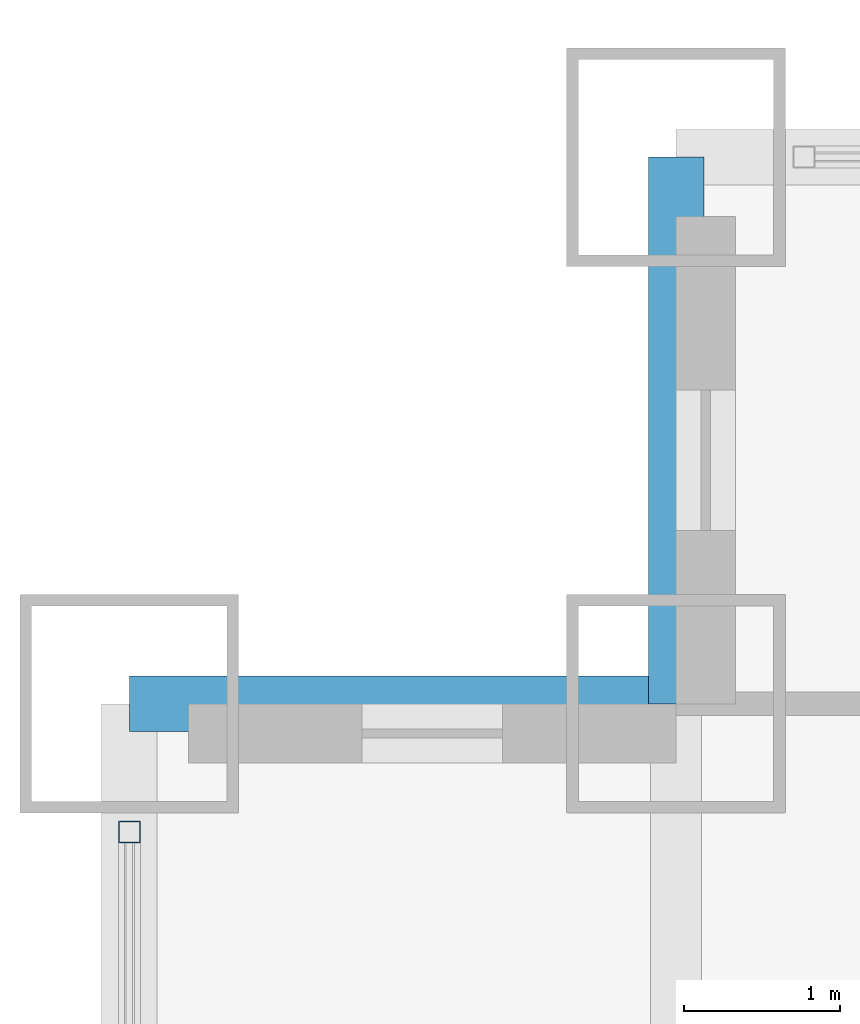
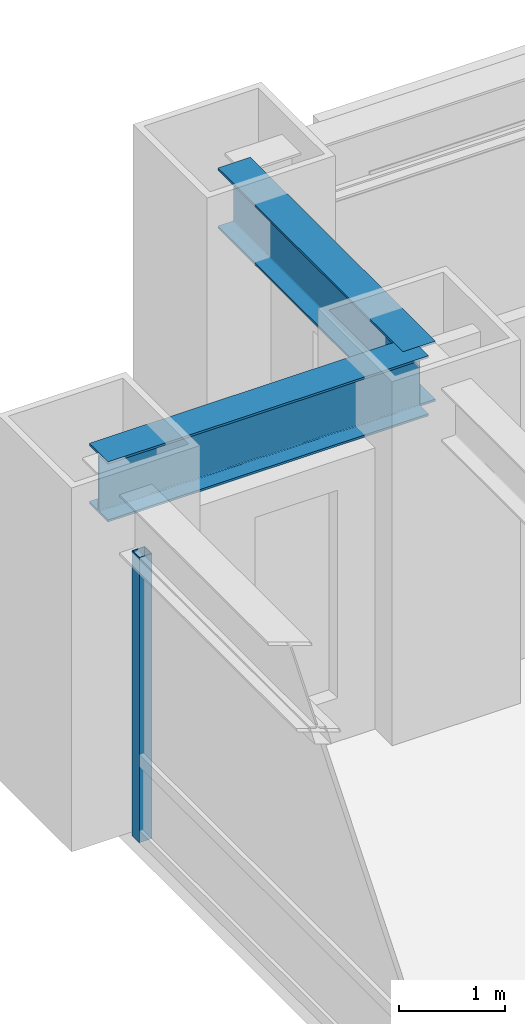
# One storey, part 14 of 31: 2 beams, 1 member, 1 element without a shape of its own.
"""IFC4 building model written with IfcOpenShell, lengths in metres."""

from ifc_helpers import new_model, si_unit, direction, frame, origin, origin_2d, place, context, subcontext, project, spatial, hollow_rectangle, i_section, extrude, source, transform, mapped, material, material_profile, profile_set, type_object, element, aggregate, save


model = new_model("IFC4")

# Units and contexts
model_context = context("Model", 3, precision=1e-05, world=origin(), true_north=direction((0.0, 1.0)))
body_context = subcontext(model_context, "Body", "Model", "MODEL_VIEW")
ifc_project = project(units=[si_unit("LENGTHUNIT", "METRE"), si_unit("AREAUNIT", "SQUARE_METRE"), si_unit("VOLUMEUNIT", "CUBIC_METRE"), si_unit("PLANEANGLEUNIT", "RADIAN"), si_unit("MASSUNIT", "GRAM", prefix="KILO")], contexts=[model_context])

# Site, building, storey
site_placement = place(None, origin())
site = spatial("IfcSite", under=ifc_project, at=site_placement, CompositionType="ELEMENT")
building_placement = place(site_placement, origin())
building = spatial("IfcBuilding", under=site, at=building_placement, Name="Khorayat Bourse Tower", CompositionType="ELEMENT")
storey_placement = place(building_placement, frame((0.0, 0.0, 41.0)))
storey = spatial("IfcBuildingStorey", under=building, at=storey_placement, Name="L08", CompositionType="ELEMENT", Elevation=41.0)

# Beams
ifc_material_1 = material(Name="Steel ASTM A992 Grade 50", Category="steel")
ifc_material_profile_1 = material_profile(ifc_material_1, i_section(OverallWidth=0.35498046875, OverallDepth=0.695068359375, WebThickness=0.015380859375, FlangeThickness=0.02490234375, FilletRadius=0.01806640625, at=origin_2d()), Name="W690X217")
ifc_profile_set_1 = profile_set([ifc_material_profile_1], Name="Steel ASTM A992 Grade 50")
beam_type = type_object("IfcBeamType", Name="BM-SPAN-690", PredefinedType="SPANDREL", material=ifc_profile_set_1)
shared_shape_1 = source(origin(), body_context, "Body", "SweptSolid", [
    extrude(i_section(OverallWidth=0.35498046875, OverallDepth=0.695068359375, WebThickness=0.015380859375, FlangeThickness=0.02490234375, FilletRadius=0.01806640625, at=origin_2d()), origin(), (0.0, 0.0, 1.0), 3.5),
])
for number, where, z_axis, x_axis, name in (
    (1, (-28.5, 28.5, 3.592529296875), (0.0, 1.0, 0.0), (-1.0, 0.0, 0.0), "L08 BM-SPAN-690 BM-L08-SPN-052"),
    (2, (-32.0, 28.5, 3.592529296875), (1.0, 0.0, 0.0), (0.0, 1.0, 0.0), "L08 BM-SPAN-690 BM-L08-SPN-053"),
):
    element("IfcBeam", number, at=place(storey_placement, frame(where, z_axis=z_axis, x_axis=x_axis)), inside=storey, type_object=beam_type, Name=name, PredefinedType="SPANDREL", context=body_context, shape_type="MappedRepresentation", body=[
        mapped(shared_shape_1, transform((0.0, 0.0, 0.0), scale=1.0)),
    ])

# Curtain wall, member
ifc_material_2 = material(Name="Aluminium EN AW-6063 T6", Category="aluminium")
curtain_wall_type = type_object("IfcCurtainWallType", Name="CW-SYS-02", PredefinedType="NOTDEFINED", material=ifc_material_2)
curtain_wall_placement = place(storey_placement, origin())
curtain_wall = element("IfcCurtainWall", 3, at=curtain_wall_placement, inside=storey, type_object=curtain_wall_type, Name="L08 Curtain Wall CW-L08-W1", PredefinedType="NOTDEFINED")
ifc_material_profile_2 = material_profile(ifc_material_2, hollow_rectangle(XDim=0.139892578125, YDim=0.139892578125, WallThickness=0.006103515625, at=origin_2d()), Name="ALU 140x140x6")
ifc_profile_set_2 = profile_set([ifc_material_profile_2], Name="Aluminium EN AW-6063 T6")
member_type = type_object("IfcMemberType", Name="CWM-VERT-140", PredefinedType="MULLION", material=ifc_profile_set_2)
shared_shape_2 = source(origin(), body_context, "Body", "SweptSolid", [
    extrude(hollow_rectangle(XDim=0.139892578125, YDim=0.139892578125, WallThickness=0.006103515625, at=origin_2d()), origin(), (0.0, 0.0, 1.0), 3.2900390625),
])
member_placement = place(storey_placement, frame((-32.0, 27.679931640625, 0.0), z_axis=(0.0, 0.0, 1.0), x_axis=(-1.0, 0.0, 0.0)))
member = element("IfcMember", 4, at=member_placement, type_object=member_type, Name="CW-L08-W1 Vertical Mullion 4", PredefinedType="MULLION", context=body_context, shape_type="MappedRepresentation", body=[
    mapped(shared_shape_2, transform((0.0, 0.0, 0.0), scale=1.0)),
])
aggregate(curtain_wall, [member])

save(model, "model.ifc")
